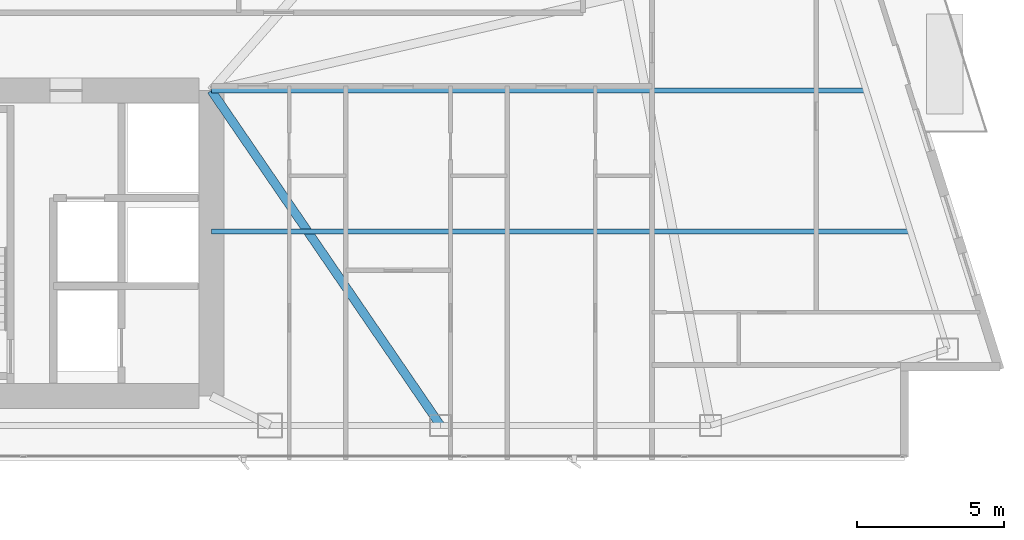
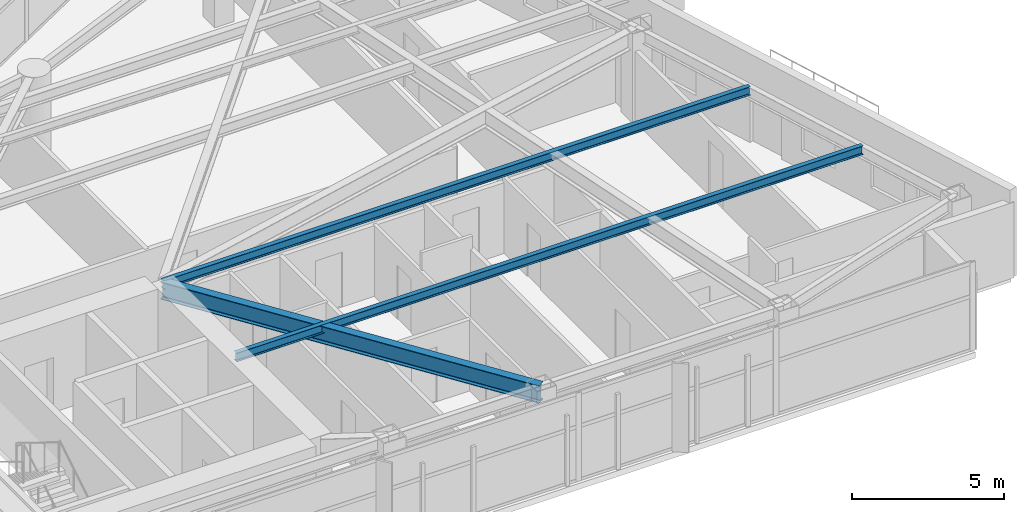
# One storey, part 13 of 28: 3 beams.
"""IFC4 building model written with IfcOpenShell, lengths in metres."""

from ifc_helpers import new_model, si_unit, direction, frame, origin, origin_2d, place, context, subcontext, project, spatial, i_section, extrude, material, material_profile, profile_set, type_object, element, save


model = new_model("IFC4")

# Units and contexts
model_context = context("Model", 3, precision=1e-05, world=origin(), true_north=direction((0.0, 1.0)))
body_context = subcontext(model_context, "Body", "Model", "MODEL_VIEW")
ifc_project = project(units=[si_unit("LENGTHUNIT", "METRE"), si_unit("AREAUNIT", "SQUARE_METRE"), si_unit("VOLUMEUNIT", "CUBIC_METRE"), si_unit("PLANEANGLEUNIT", "RADIAN"), si_unit("MASSUNIT", "GRAM", prefix="KILO")], contexts=[model_context])

# Site, building, storey
site_placement = place(None, origin())
site = spatial("IfcSite", under=ifc_project, at=site_placement, CompositionType="ELEMENT")
building_placement = place(site_placement, origin())
building = spatial("IfcBuilding", under=site, at=building_placement, Name="Calvorn Quay Hotel", CompositionType="ELEMENT")
storey_placement = place(building_placement, frame((0.0, 0.0, 108.800048828125)))
storey = spatial("IfcBuildingStorey", under=building, at=storey_placement, Name="L26", CompositionType="ELEMENT", Elevation=108.800048828125)

# Beams
ifc_material_1 = material(Name="Steel Q390GJC", Category="steel")
ifc_material_profile_1 = material_profile(ifc_material_1, i_section(OverallWidth=0.300048828125, OverallDepth=0.699951171875, WebThickness=0.012939453125, FlangeThickness=0.02392578125, FilletRadius=0.02392578125, at=origin_2d()), Name="HN700x300x13x24")
ifc_profile_set_1 = profile_set([ifc_material_profile_1], Name="Steel Q390GJC")
beam_type_1 = type_object("IfcBeamType", Name="BM-GIRD-MAIN", PredefinedType="BEAM", material=ifc_profile_set_1)
beam_1_placement = place(storey_placement, frame((40.199951171875, 3.60009765625, 3.18994140625), z_axis=(-0.564689618177, 0.825303359452, 0.0), x_axis=(-0.825303359452, -0.564689618177, 0.0)))
element("IfcBeam", 1, at=beam_1_placement, inside=storey, type_object=beam_type_1, Name="Beam BG-L26-E6", PredefinedType="BEAM", context=body_context, shape_type="SweptSolid", body=[
    extrude(i_section(OverallWidth=0.300048828125, OverallDepth=0.699951171875, WebThickness=0.012939453125, FlangeThickness=0.02392578125, FilletRadius=0.02392578125, at=origin_2d()), origin(), (0.0, 0.0, 1.0), 13.81298828125),
])
ifc_material_2 = material(Name="Steel Q355B", Category="steel")
ifc_material_profile_2 = material_profile(ifc_material_2, i_section(OverallWidth=0.175048828125, OverallDepth=0.35009765625, WebThickness=0.007080078125, FlangeThickness=0.010986328125, FilletRadius=0.013916015625, at=origin_2d()), Name="HN350x175x7x11")
ifc_profile_set_2 = profile_set([ifc_material_profile_2], Name="Steel Q355B")
beam_type_2 = type_object("IfcBeamType", Name="BM-JOIST-SEC", PredefinedType="JOIST", material=ifc_profile_set_2)
beam_2_placement = place(storey_placement, frame((32.39990234375, 10.199951171875, 3.364990234375), z_axis=(1.0, 0.0, 0.0), x_axis=(0.0, 1.0, 0.0)))
element("IfcBeam", 2, at=beam_2_placement, inside=storey, type_object=beam_type_2, Name="Beam BJ-L26-E1", PredefinedType="JOIST", context=body_context, shape_type="SweptSolid", body=[
    extrude(i_section(OverallWidth=0.175048828125, OverallDepth=0.35009765625, WebThickness=0.007080078125, FlangeThickness=0.010986328125, FilletRadius=0.013916015625, at=origin_2d()), origin(), (0.0, 0.0, 1.0), 23.801025390625),
])
beam_3_placement = place(storey_placement, frame((32.39990234375, 15.0, 3.364990234375), z_axis=(1.0, 0.0, 0.0), x_axis=(0.0, 1.0, 0.0)))
element("IfcBeam", 3, at=beam_3_placement, inside=storey, type_object=beam_type_2, Name="Beam BJ-L26-E2", PredefinedType="JOIST", context=body_context, shape_type="SweptSolid", body=[
    extrude(i_section(OverallWidth=0.175048828125, OverallDepth=0.35009765625, WebThickness=0.007080078125, FlangeThickness=0.010986328125, FilletRadius=0.013916015625, at=origin_2d()), origin(), (0.0, 0.0, 1.0), 22.2880859375),
])

save(model, "model.ifc")
